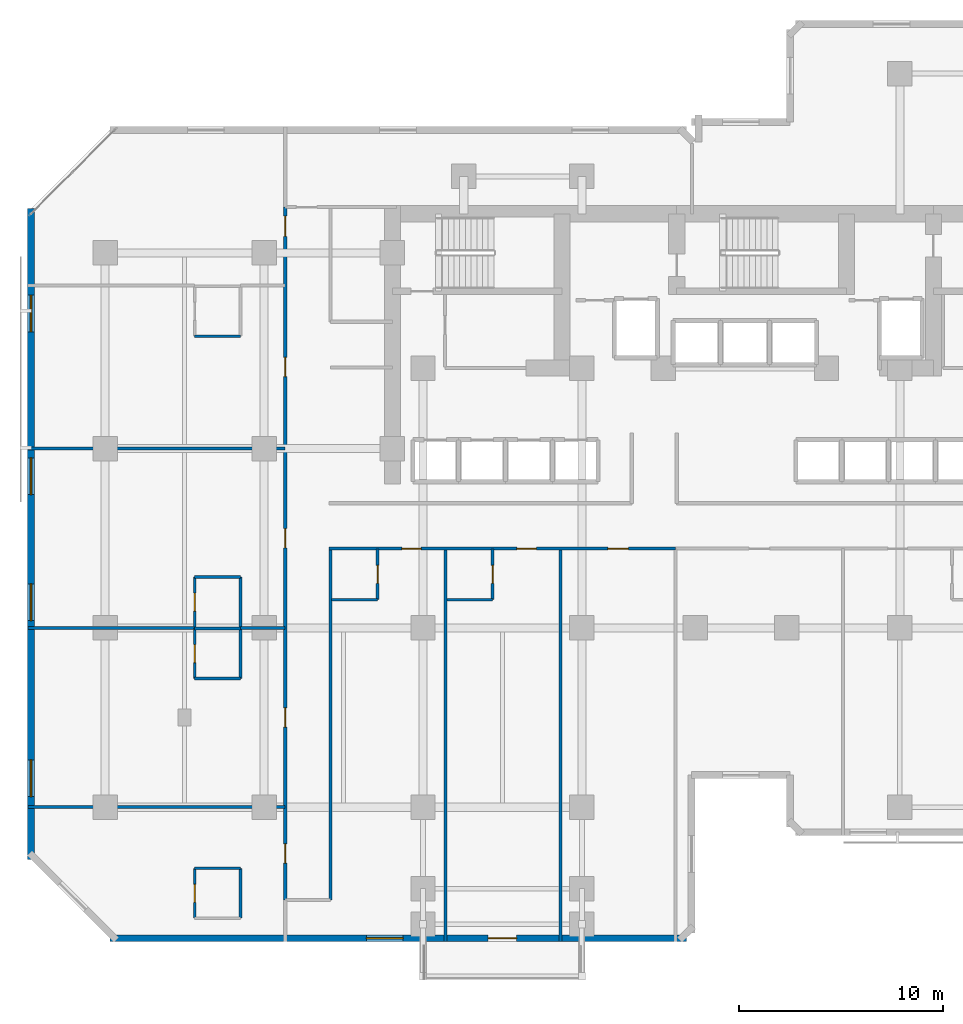
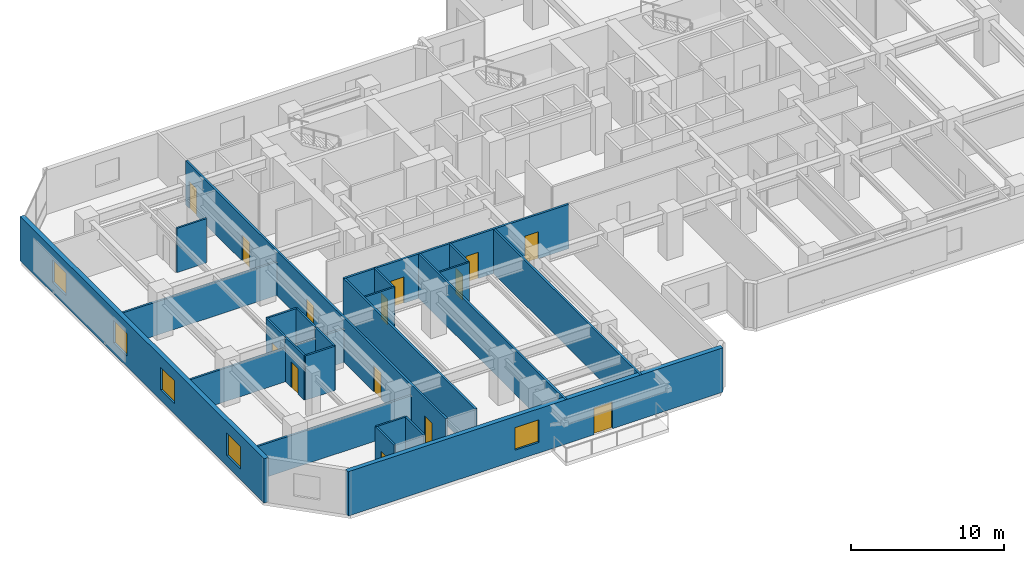
# One storey, part 6 of 12: 26 walls, 14 doors, 5 windows, 19 openings.
"""IFC4 building model written with IfcOpenShell, lengths in metres."""

from ifc_helpers import new_model, si_unit, direction, frame, frame_2d, origin, place, context, subcontext, project, spatial, rectangle, extrude, material, layer, layer_set, type_object, element, fill, save


model = new_model("IFC4")

# Units and contexts
model_context = context("Model", 3, precision=1e-05, world=origin(), true_north=direction((0.0, 1.0)))
body_context = subcontext(model_context, "Body", "Model", "MODEL_VIEW")
ifc_project = project(units=[si_unit("LENGTHUNIT", "METRE"), si_unit("AREAUNIT", "SQUARE_METRE"), si_unit("VOLUMEUNIT", "CUBIC_METRE"), si_unit("PLANEANGLEUNIT", "RADIAN"), si_unit("MASSUNIT", "GRAM", prefix="KILO")], contexts=[model_context])

# Site, building, storey
site_placement = place(None, origin())
site = spatial("IfcSite", under=ifc_project, at=site_placement, CompositionType="ELEMENT")
building_placement = place(site_placement, origin())
building = spatial("IfcBuilding", under=site, at=building_placement, Name="Kestravale Grand Hotel", CompositionType="ELEMENT")
storey_placement = place(building_placement, frame((0.0, 0.0, 95.60009765625)))
storey = spatial("IfcBuildingStorey", under=building, at=storey_placement, Name="L23", CompositionType="ELEMENT", Elevation=95.60009765625)

# Wall, openings, door, window
ifc_material_1 = material(Name="Precast concrete f'c 45 MPa", Category="concrete")
ifc_layer_1 = layer(ifc_material_1, 0.340087890625)
ifc_layer_set_1 = layer_set([ifc_layer_1], Name="EW-PREC-340")
wall_type_1 = type_object("IfcWallType", Name="EW-PREC-340", PredefinedType="SOLIDWALL", material=ifc_layer_set_1)
wall_1_placement = place(storey_placement, frame((8.030029296875, 4.77001953125, 0.0), z_axis=(0.0, 0.0, 1.0), x_axis=(1.0, 0.0, 0.0)))
wall_1 = element("IfcWall", 1, at=wall_1_placement, inside=storey, type_object=wall_type_1, Name="L23 fluted precast facade wall 1", PredefinedType="SOLIDWALL", context=body_context, shape_type="SweptSolid", body=[
    extrude(rectangle(XDim=28.2900390625, YDim=0.340087890625, at=frame_2d((14.14501953125, 0.0))), origin(), (0.0, 0.0, 1.0), 3.539794921875),
])
opening_1_placement = place(wall_1_placement, frame((18.570068359375, 0.0, 0.0)))
opening_1 = element("IfcOpeningElement", 2, at=opening_1_placement, cuts=wall_1, Name="Opening D-TERR-1400", PredefinedType="OPENING", context=body_context, shape_type="SweptSolid", body=[
    extrude(rectangle(XDim=1.39990234375, YDim=2.14990234375, at=frame_2d((0.699951171875, 1.074951171875))), frame((0.0, 0.179931640625, 0.0), z_axis=(0.0, -1.0, 0.0), x_axis=(1.0, 0.0, 0.0)), (0.0, 0.0, 1.0), 0.360107421875),
])
opening_2_placement = place(wall_1_placement, frame((12.594970703125, 0.0, 0.85009765625)))
opening_2 = element("IfcOpeningElement", 3, at=opening_2_placement, cuts=wall_1, Name="Opening W-GUEST-1800", PredefinedType="OPENING", context=body_context, shape_type="SweptSolid", body=[
    extrude(rectangle(XDim=1.800048828125, YDim=1.800048828125, at=frame_2d((0.89990234375, 0.89990234375))), frame((0.0, 0.179931640625, 0.0), z_axis=(0.0, -1.0, 0.0), x_axis=(1.0, 0.0, 0.0)), (0.0, 0.0, 1.0), 0.360107421875),
])
ifc_material_2 = material(Name="Insulated glazed champagne-bronze aluminium door", Category="aluminium")
door_type_1 = type_object("IfcDoorType", Name="D-TERR-1400", OperationType="NOTDEFINED", PredefinedType="DOOR", material=ifc_material_2)
door_1_placement = place(opening_1_placement, origin())
door_1 = element("IfcDoor", 4, at=door_1_placement, inside=storey, type_object=door_type_1, Name="L23 outdoor garden terrace door", OperationType="DOUBLE_DOOR_SINGLE_SWING", OverallHeight=2.14990234375, OverallWidth=1.39990234375, PredefinedType="DOOR", context=body_context, shape_type="SweptSolid", body=[
    extrude(rectangle(XDim=1.39990234375, YDim=2.14990234375, at=frame_2d((0.699951171875, 1.074951171875))), frame((0.0, 0.02490234375, 0.0), z_axis=(0.0, -1.0, 0.0), x_axis=(1.0, 0.0, 0.0)), (0.0, 0.0, 1.0), 0.050048828125),
])
fill(opening_1, door_1)
ifc_material_3 = material(Name="Insulated low-E double glazing in aluminium frame", Category="aluminium")
window_type = type_object("IfcWindowType", Name="W-GUEST-1800", PartitioningType="DOUBLE_PANEL_VERTICAL", PredefinedType="WINDOW", material=ifc_material_3)
window_1_placement = place(opening_2_placement, origin())
window_1 = element("IfcWindow", 5, at=window_1_placement, inside=storey, type_object=window_type, Name="L23 exterior window 1.1", OverallHeight=1.800048828125, OverallWidth=1.800048828125, PartitioningType="SINGLE_PANEL", PredefinedType="WINDOW", context=body_context, shape_type="SweptSolid", body=[
    extrude(rectangle(XDim=1.800048828125, YDim=1.800048828125, at=frame_2d((0.89990234375, 0.89990234375))), frame((0.0, 0.030029296875, 0.0), z_axis=(0.0, -1.0, 0.0), x_axis=(1.0, 0.0, 0.0)), (0.0, 0.0, 1.0), 0.06005859375),
])
fill(opening_2, window_1)

# Wall, openings, windows
wall_2_placement = place(storey_placement, frame((4.169921875, 40.570068359375, 0.0), z_axis=(0.0, 0.0, 1.0), x_axis=(0.0, -1.0, 0.0)))
wall_2 = element("IfcWall", 6, at=wall_2_placement, inside=storey, type_object=wall_type_1, Name="L23 fluted precast facade wall 19", PredefinedType="SOLIDWALL", context=body_context, shape_type="SweptSolid", body=[
    extrude(rectangle(XDim=31.940185546875, YDim=0.340087890625, at=frame_2d((15.97021484375, 0.0))), origin(), (0.0, 0.0, 1.0), 3.539794921875),
])
opening_3_placement = place(wall_2_placement, frame((4.242431640625, 0.0, 0.85009765625)))
opening_3 = element("IfcOpeningElement", 7, at=opening_3_placement, cuts=wall_2, Name="Opening W-GUEST-1800", PredefinedType="OPENING", context=body_context, shape_type="SweptSolid", body=[
    extrude(rectangle(XDim=1.800048828125, YDim=1.800048828125, at=frame_2d((0.89990234375, 0.89990234375))), frame((0.0, 0.179931640625, 0.0), z_axis=(0.0, -1.0, 0.0), x_axis=(1.0, 0.0, 0.0)), (0.0, 0.0, 1.0), 0.360107421875),
])
opening_4_placement = place(wall_2_placement, frame((12.2275390625, 0.0, 0.85009765625)))
opening_4 = element("IfcOpeningElement", 8, at=opening_4_placement, cuts=wall_2, Name="Opening W-GUEST-1800", PredefinedType="OPENING", context=body_context, shape_type="SweptSolid", body=[
    extrude(rectangle(XDim=1.800048828125, YDim=1.800048828125, at=frame_2d((0.89990234375, 0.89990234375))), frame((0.0, 0.179931640625, 0.0), z_axis=(0.0, -1.0, 0.0), x_axis=(1.0, 0.0, 0.0)), (0.0, 0.0, 1.0), 0.360107421875),
])
opening_5_placement = place(wall_2_placement, frame((18.41259765625, 0.0, 0.85009765625)))
opening_5 = element("IfcOpeningElement", 9, at=opening_5_placement, cuts=wall_2, Name="Opening W-GUEST-1800", PredefinedType="OPENING", context=body_context, shape_type="SweptSolid", body=[
    extrude(rectangle(XDim=1.800048828125, YDim=1.800048828125, at=frame_2d((0.89990234375, 0.89990234375))), frame((0.0, 0.179931640625, 0.0), z_axis=(0.0, -1.0, 0.0), x_axis=(1.0, 0.0, 0.0)), (0.0, 0.0, 1.0), 0.360107421875),
])
opening_6_placement = place(wall_2_placement, frame((27.047607421875, 0.0, 0.85009765625)))
opening_6 = element("IfcOpeningElement", 10, at=opening_6_placement, cuts=wall_2, Name="Opening W-GUEST-1800", PredefinedType="OPENING", context=body_context, shape_type="SweptSolid", body=[
    extrude(rectangle(XDim=1.800048828125, YDim=1.800048828125, at=frame_2d((0.89990234375, 0.89990234375))), frame((0.0, 0.179931640625, 0.0), z_axis=(0.0, -1.0, 0.0), x_axis=(1.0, 0.0, 0.0)), (0.0, 0.0, 1.0), 0.360107421875),
])
window_2_placement = place(opening_3_placement, origin())
window_2 = element("IfcWindow", 11, at=window_2_placement, inside=storey, type_object=window_type, Name="L23 exterior window 19.1", OverallHeight=1.800048828125, OverallWidth=1.800048828125, PartitioningType="SINGLE_PANEL", PredefinedType="WINDOW", context=body_context, shape_type="SweptSolid", body=[
    extrude(rectangle(XDim=1.800048828125, YDim=1.800048828125, at=frame_2d((0.89990234375, 0.89990234375))), frame((0.0, 0.030029296875, 0.0), z_axis=(0.0, -1.0, 0.0), x_axis=(1.0, 0.0, 0.0)), (0.0, 0.0, 1.0), 0.06005859375),
])
fill(opening_3, window_2)
window_3_placement = place(opening_4_placement, origin())
window_3 = element("IfcWindow", 12, at=window_3_placement, inside=storey, type_object=window_type, Name="L23 exterior window 19.2", OverallHeight=1.800048828125, OverallWidth=1.800048828125, PartitioningType="SINGLE_PANEL", PredefinedType="WINDOW", context=body_context, shape_type="SweptSolid", body=[
    extrude(rectangle(XDim=1.800048828125, YDim=1.800048828125, at=frame_2d((0.89990234375, 0.89990234375))), frame((0.0, 0.030029296875, 0.0), z_axis=(0.0, -1.0, 0.0), x_axis=(1.0, 0.0, 0.0)), (0.0, 0.0, 1.0), 0.06005859375),
])
fill(opening_4, window_3)
window_4_placement = place(opening_5_placement, origin())
window_4 = element("IfcWindow", 13, at=window_4_placement, inside=storey, type_object=window_type, Name="L23 exterior window 19.3", OverallHeight=1.800048828125, OverallWidth=1.800048828125, PartitioningType="SINGLE_PANEL", PredefinedType="WINDOW", context=body_context, shape_type="SweptSolid", body=[
    extrude(rectangle(XDim=1.800048828125, YDim=1.800048828125, at=frame_2d((0.89990234375, 0.89990234375))), frame((0.0, 0.030029296875, 0.0), z_axis=(0.0, -1.0, 0.0), x_axis=(1.0, 0.0, 0.0)), (0.0, 0.0, 1.0), 0.06005859375),
])
fill(opening_5, window_4)
window_5_placement = place(opening_6_placement, origin())
window_5 = element("IfcWindow", 14, at=window_5_placement, inside=storey, type_object=window_type, Name="L23 exterior window 19.4", OverallHeight=1.800048828125, OverallWidth=1.800048828125, PartitioningType="SINGLE_PANEL", PredefinedType="WINDOW", context=body_context, shape_type="SweptSolid", body=[
    extrude(rectangle(XDim=1.800048828125, YDim=1.800048828125, at=frame_2d((0.89990234375, 0.89990234375))), frame((0.0, 0.030029296875, 0.0), z_axis=(0.0, -1.0, 0.0), x_axis=(1.0, 0.0, 0.0)), (0.0, 0.0, 1.0), 0.06005859375),
])
fill(opening_6, window_5)

# Wall, openings, doors
ifc_material_4 = material(Name="Acoustic fire-rated gypsum board partition", Category="other")
ifc_layer_2 = layer(ifc_material_4, 0.159912109375)
ifc_layer_set_2 = layer_set([ifc_layer_2], Name="IW-CORR-160")
wall_type_2 = type_object("IfcWallType", Name="IW-CORR-160", PredefinedType="PARTITIONING", material=ifc_layer_set_2)
wall_3_placement = place(storey_placement, frame((18.800048828125, 23.889892578125, 0.0), z_axis=(0.0, 0.0, 1.0), x_axis=(1.0, 0.0, 0.0)))
wall_3 = element("IfcWall", 15, at=wall_3_placement, inside=storey, type_object=wall_type_2, Name="W-L23-CW-S", PredefinedType="PARTITIONING", context=body_context, shape_type="SweptSolid", body=[
    extrude(rectangle(XDim=17.0, YDim=0.159912109375, at=frame_2d((8.5, 0.0))), origin(), (0.0, 0.0, 1.0), 3.539794921875),
])
opening_7_placement = place(wall_3_placement, frame((3.563232421875, 0.0, 0.0)))
opening_7 = element("IfcOpeningElement", 16, at=opening_7_placement, cuts=wall_3, Name="Opening D-GUEST-950", PredefinedType="OPENING", context=body_context, shape_type="SweptSolid", body=[
    extrude(rectangle(XDim=0.949951171875, YDim=2.10009765625, at=frame_2d((0.47509765625, 1.050048828125))), frame((0.0, 0.08984375, 0.0), z_axis=(0.0, -1.0, 0.0), x_axis=(1.0, 0.0, 0.0)), (0.0, 0.0, 1.0), 0.179931640625),
])
opening_8_placement = place(wall_3_placement, frame((9.2099609375, 0.0, 0.0)))
opening_8 = element("IfcOpeningElement", 17, at=opening_8_placement, cuts=wall_3, Name="Opening D-GUEST-950", PredefinedType="OPENING", context=body_context, shape_type="SweptSolid", body=[
    extrude(rectangle(XDim=0.949951171875, YDim=2.10009765625, at=frame_2d((0.47509765625, 1.050048828125))), frame((0.0, 0.08984375, 0.0), z_axis=(0.0, -1.0, 0.0), x_axis=(1.0, 0.0, 0.0)), (0.0, 0.0, 1.0), 0.179931640625),
])
opening_9_placement = place(wall_3_placement, frame((13.6767578125, 0.0, 0.0)))
opening_9 = element("IfcOpeningElement", 18, at=opening_9_placement, cuts=wall_3, Name="Opening D-GUEST-1000", PredefinedType="OPENING", context=body_context, shape_type="SweptSolid", body=[
    extrude(rectangle(XDim=1.0, YDim=2.14990234375, at=frame_2d((0.5, 1.074951171875))), frame((0.0, 0.08984375, 0.0), z_axis=(0.0, -1.0, 0.0), x_axis=(1.0, 0.0, 0.0)), (0.0, 0.0, 1.0), 0.179931640625),
])
ifc_material_5 = material(Name="Accessible walnut veneer hotel entrance fire door", Category="wood")
door_type_2 = type_object("IfcDoorType", Name="D-GUEST-1000", OperationType="NOTDEFINED", PredefinedType="DOOR", material=ifc_material_5)
door_2_placement = place(opening_9_placement, origin())
door_2 = element("IfcDoor", 19, at=door_2_placement, inside=storey, type_object=door_type_2, Name="D-L23-AMW", OperationType="SINGLE_SWING_RIGHT", OverallHeight=2.14990234375, OverallWidth=1.0, PredefinedType="DOOR", context=body_context, shape_type="SweptSolid", body=[
    extrude(rectangle(XDim=1.0, YDim=2.14990234375, at=frame_2d((0.5, 1.074951171875))), frame((0.0, 0.02490234375, 0.0), z_axis=(0.0, -1.0, 0.0), x_axis=(1.0, 0.0, 0.0)), (0.0, 0.0, 1.0), 0.050048828125),
])
fill(opening_9, door_2)
ifc_material_6 = material(Name="Walnut veneer hotel guestroom entrance fire door", Category="wood")
door_type_3 = type_object("IfcDoorType", Name="D-GUEST-950", OperationType="NOTDEFINED", PredefinedType="DOOR", material=ifc_material_6)
door_3_placement = place(opening_7_placement, origin())
door_3 = element("IfcDoor", 20, at=door_3_placement, inside=storey, type_object=door_type_3, Name="D-L23-U01-ENT", OperationType="SINGLE_SWING_LEFT", OverallHeight=2.10009765625, OverallWidth=0.949951171875, PredefinedType="DOOR", context=body_context, shape_type="SweptSolid", body=[
    extrude(rectangle(XDim=0.949951171875, YDim=2.10009765625, at=frame_2d((0.47509765625, 1.050048828125))), frame((0.0, 0.02490234375, 0.0), z_axis=(0.0, -1.0, 0.0), x_axis=(1.0, 0.0, 0.0)), (0.0, 0.0, 1.0), 0.050048828125),
])
fill(opening_7, door_3)
door_4_placement = place(opening_8_placement, origin())
door_4 = element("IfcDoor", 21, at=door_4_placement, inside=storey, type_object=door_type_3, Name="D-L23-U02-ENT", OperationType="SINGLE_SWING_LEFT", OverallHeight=2.10009765625, OverallWidth=0.949951171875, PredefinedType="DOOR", context=body_context, shape_type="SweptSolid", body=[
    extrude(rectangle(XDim=0.949951171875, YDim=2.10009765625, at=frame_2d((0.47509765625, 1.050048828125))), frame((0.0, 0.02490234375, 0.0), z_axis=(0.0, -1.0, 0.0), x_axis=(1.0, 0.0, 0.0)), (0.0, 0.0, 1.0), 0.050048828125),
])
fill(opening_8, door_4)

wall_4_placement = place(storey_placement, frame((16.639892578125, 6.64990234375, 0.0), z_axis=(0.0, 0.0, 1.0), x_axis=(0.0, 1.0, 0.0)))
wall_4 = element("IfcWall", 22, at=wall_4_placement, inside=storey, type_object=wall_type_2, Name="W-L23-SW-W", PredefinedType="PARTITIONING", context=body_context, shape_type="SweptSolid", body=[
    extrude(rectangle(XDim=34.0, YDim=0.159912109375, at=frame_2d((17.0, 0.0))), origin(), (0.0, 0.0, 1.0), 3.539794921875),
])
opening_10_placement = place(wall_4_placement, frame((1.800048828125, 0.0, 0.0)))
opening_10 = element("IfcOpeningElement", 23, at=opening_10_placement, cuts=wall_4, Name="Opening D-GUEST-950", PredefinedType="OPENING", context=body_context, shape_type="SweptSolid", body=[
    extrude(rectangle(XDim=0.949951171875, YDim=2.10009765625, at=frame_2d((0.47509765625, 1.050048828125))), frame((0.0, 0.08984375, 0.0), z_axis=(0.0, -1.0, 0.0), x_axis=(1.0, 0.0, 0.0)), (0.0, 0.0, 1.0), 0.179931640625),
])
opening_11_placement = place(wall_4_placement, frame((8.47509765625, 0.0, 0.0)))
opening_11 = element("IfcOpeningElement", 24, at=opening_11_placement, cuts=wall_4, Name="Opening D-GUEST-950", PredefinedType="OPENING", context=body_context, shape_type="SweptSolid", body=[
    extrude(rectangle(XDim=0.949951171875, YDim=2.10009765625, at=frame_2d((0.47509765625, 1.050048828125))), frame((0.0, 0.08984375, 0.0), z_axis=(0.0, -1.0, 0.0), x_axis=(1.0, 0.0, 0.0)), (0.0, 0.0, 1.0), 0.179931640625),
])
opening_12_placement = place(wall_4_placement, frame((17.27490234375, 0.0, 0.0)))
opening_12 = element("IfcOpeningElement", 25, at=opening_12_placement, cuts=wall_4, Name="Opening D-GUEST-950", PredefinedType="OPENING", context=body_context, shape_type="SweptSolid", body=[
    extrude(rectangle(XDim=0.949951171875, YDim=2.10009765625, at=frame_2d((0.47509765625, 1.050048828125))), frame((0.0, 0.08984375, 0.0), z_axis=(0.0, -1.0, 0.0), x_axis=(1.0, 0.0, 0.0)), (0.0, 0.0, 1.0), 0.179931640625),
])
opening_13_placement = place(wall_4_placement, frame((25.675048828125, 0.0, 0.0)))
opening_13 = element("IfcOpeningElement", 26, at=opening_13_placement, cuts=wall_4, Name="Opening D-GUEST-950", PredefinedType="OPENING", context=body_context, shape_type="SweptSolid", body=[
    extrude(rectangle(XDim=0.949951171875, YDim=2.10009765625, at=frame_2d((0.47509765625, 1.050048828125))), frame((0.0, 0.08984375, 0.0), z_axis=(0.0, -1.0, 0.0), x_axis=(1.0, 0.0, 0.0)), (0.0, 0.0, 1.0), 0.179931640625),
])
opening_14_placement = place(wall_4_placement, frame((32.56005859375, 0.0, 0.0)))
opening_14 = element("IfcOpeningElement", 27, at=opening_14_placement, cuts=wall_4, Name="Opening D-GUEST-1000", PredefinedType="OPENING", context=body_context, shape_type="SweptSolid", body=[
    extrude(rectangle(XDim=1.0, YDim=2.14990234375, at=frame_2d((0.5, 1.074951171875))), frame((0.0, 0.08984375, 0.0), z_axis=(0.0, -1.0, 0.0), x_axis=(1.0, 0.0, 0.0)), (0.0, 0.0, 1.0), 0.179931640625),
])
door_5_placement = place(opening_14_placement, origin())
door_5 = element("IfcDoor", 28, at=door_5_placement, inside=storey, type_object=door_type_2, Name="D-L23-AMWW", OperationType="SINGLE_SWING_RIGHT", OverallHeight=2.14990234375, OverallWidth=1.0, PredefinedType="DOOR", context=body_context, shape_type="SweptSolid", body=[
    extrude(rectangle(XDim=1.0, YDim=2.14990234375, at=frame_2d((0.5, 1.074951171875))), frame((0.0, 0.02490234375, 0.0), z_axis=(0.0, -1.0, 0.0), x_axis=(1.0, 0.0, 0.0)), (0.0, 0.0, 1.0), 0.050048828125),
])
fill(opening_14, door_5)
door_6_placement = place(opening_10_placement, origin())
door_6 = element("IfcDoor", 29, at=door_6_placement, inside=storey, type_object=door_type_3, Name="D-L23-U05-ENT", OperationType="SINGLE_SWING_LEFT", OverallHeight=2.10009765625, OverallWidth=0.949951171875, PredefinedType="DOOR", context=body_context, shape_type="SweptSolid", body=[
    extrude(rectangle(XDim=0.949951171875, YDim=2.10009765625, at=frame_2d((0.47509765625, 1.050048828125))), frame((0.0, 0.02490234375, 0.0), z_axis=(0.0, -1.0, 0.0), x_axis=(1.0, 0.0, 0.0)), (0.0, 0.0, 1.0), 0.050048828125),
])
fill(opening_10, door_6)
door_7_placement = place(opening_11_placement, origin())
door_7 = element("IfcDoor", 30, at=door_7_placement, inside=storey, type_object=door_type_3, Name="D-L23-U06-ENT", OperationType="SINGLE_SWING_LEFT", OverallHeight=2.10009765625, OverallWidth=0.949951171875, PredefinedType="DOOR", context=body_context, shape_type="SweptSolid", body=[
    extrude(rectangle(XDim=0.949951171875, YDim=2.10009765625, at=frame_2d((0.47509765625, 1.050048828125))), frame((0.0, 0.02490234375, 0.0), z_axis=(0.0, -1.0, 0.0), x_axis=(1.0, 0.0, 0.0)), (0.0, 0.0, 1.0), 0.050048828125),
])
fill(opening_11, door_7)
door_8_placement = place(opening_12_placement, origin())
door_8 = element("IfcDoor", 31, at=door_8_placement, inside=storey, type_object=door_type_3, Name="D-L23-U07-ENT", OperationType="SINGLE_SWING_LEFT", OverallHeight=2.10009765625, OverallWidth=0.949951171875, PredefinedType="DOOR", context=body_context, shape_type="SweptSolid", body=[
    extrude(rectangle(XDim=0.949951171875, YDim=2.10009765625, at=frame_2d((0.47509765625, 1.050048828125))), frame((0.0, 0.02490234375, 0.0), z_axis=(0.0, -1.0, 0.0), x_axis=(1.0, 0.0, 0.0)), (0.0, 0.0, 1.0), 0.050048828125),
])
fill(opening_12, door_8)
door_9_placement = place(opening_13_placement, origin())
door_9 = element("IfcDoor", 32, at=door_9_placement, inside=storey, type_object=door_type_3, Name="D-L23-U08-ENT", OperationType="SINGLE_SWING_LEFT", OverallHeight=2.10009765625, OverallWidth=0.949951171875, PredefinedType="DOOR", context=body_context, shape_type="SweptSolid", body=[
    extrude(rectangle(XDim=0.949951171875, YDim=2.10009765625, at=frame_2d((0.47509765625, 1.050048828125))), frame((0.0, 0.02490234375, 0.0), z_axis=(0.0, -1.0, 0.0), x_axis=(1.0, 0.0, 0.0)), (0.0, 0.0, 1.0), 0.050048828125),
])
fill(opening_13, door_9)

# Wall
wall_5_placement = place(storey_placement, frame((18.860107421875, 6.64990234375, 0.0), z_axis=(0.0, 0.0, 1.0), x_axis=(0.0, 1.0, 0.0)))
element("IfcWall", 33, at=wall_5_placement, inside=storey, type_object=wall_type_2, Name="W-L23-SW-E", PredefinedType="PARTITIONING", context=body_context, shape_type="SweptSolid", body=[
    extrude(rectangle(XDim=17.239990234375, YDim=0.159912109375, at=frame_2d((8.6201171875, 0.0))), origin(), (0.0, 0.0, 1.0), 3.539794921875),
])

# Wall, opening, door
ifc_material_7 = material(Name="Moisture-resistant tile-backer plumbing chase wall", Category="other")
ifc_layer_3 = layer(ifc_material_7, 0.139892578125)
ifc_layer_set_3 = layer_set([ifc_layer_3], Name="IW-PLB-140")
wall_type_3 = type_object("IfcWallType", Name="IW-PLB-140", PredefinedType="PLUMBINGWALL", material=ifc_layer_set_3)
wall_6_placement = place(storey_placement, frame((21.169921875, 21.3798828125, 0.0), z_axis=(0.0, 0.0, 1.0), x_axis=(0.0, 1.0, 0.0)))
wall_6 = element("IfcWall", 34, at=wall_6_placement, inside=storey, type_object=wall_type_3, Name="W-L23-U01-BE", PredefinedType="PLUMBINGWALL", context=body_context, shape_type="SweptSolid", body=[
    extrude(rectangle(XDim=2.490234375, YDim=0.139892578125, at=frame_2d((1.2451171875, 0.0))), origin(), (0.0, 0.0, 1.0), 3.539794921875),
])
opening_15_placement = place(wall_6_placement, frame((0.804931640625, 0.0, 0.0)))
opening_15 = element("IfcOpeningElement", 35, at=opening_15_placement, cuts=wall_6, Name="Opening D-BATH-880", PredefinedType="OPENING", context=body_context, shape_type="SweptSolid", body=[
    extrude(rectangle(XDim=0.8798828125, YDim=2.050048828125, at=frame_2d((0.43994140625, 1.02490234375))), frame((0.0, 0.079833984375, 0.0), z_axis=(0.0, -1.0, 0.0), x_axis=(1.0, 0.0, 0.0)), (0.0, 0.0, 1.0), 0.159912109375),
])
ifc_material_8 = material(Name="Moisture-sealed walnut en-suite bathroom door", Category="wood")
door_type_4 = type_object("IfcDoorType", Name="D-BATH-880", OperationType="NOTDEFINED", PredefinedType="DOOR", material=ifc_material_8)
door_10_placement = place(opening_15_placement, origin())
door_10 = element("IfcDoor", 36, at=door_10_placement, inside=storey, type_object=door_type_4, Name="D-L23-U01-BATH", OperationType="SINGLE_SWING_RIGHT", OverallHeight=2.050048828125, OverallWidth=0.8798828125, PredefinedType="DOOR", context=body_context, shape_type="SweptSolid", body=[
    extrude(rectangle(XDim=0.8798828125, YDim=2.050048828125, at=frame_2d((0.43994140625, 1.02490234375))), frame((0.0, 0.02490234375, 0.0), z_axis=(0.0, -1.0, 0.0), x_axis=(1.0, 0.0, 0.0)), (0.0, 0.0, 1.0), 0.050048828125),
])
fill(opening_15, door_10)

# Wall
wall_7_placement = place(storey_placement, frame((18.919921875, 21.3798828125, 0.0), z_axis=(0.0, 0.0, 1.0), x_axis=(1.0, 0.0, 0.0)))
element("IfcWall", 37, at=wall_7_placement, inside=storey, type_object=wall_type_3, Name="W-L23-U01-BS", PredefinedType="PLUMBINGWALL", context=body_context, shape_type="SweptSolid", body=[
    extrude(rectangle(XDim=2.25, YDim=0.139892578125, at=frame_2d((1.125, 0.0))), origin(), (0.0, 0.0, 1.0), 3.539794921875),
])

# Wall, opening, door
wall_8_placement = place(storey_placement, frame((26.816650390625, 21.3798828125, 0.0), z_axis=(0.0, 0.0, 1.0), x_axis=(0.0, 1.0, 0.0)))
wall_8 = element("IfcWall", 38, at=wall_8_placement, inside=storey, type_object=wall_type_3, Name="W-L23-U02-BE", PredefinedType="PLUMBINGWALL", context=body_context, shape_type="SweptSolid", body=[
    extrude(rectangle(XDim=2.490234375, YDim=0.139892578125, at=frame_2d((1.2451171875, 0.0))), origin(), (0.0, 0.0, 1.0), 3.539794921875),
])
opening_16_placement = place(wall_8_placement, frame((0.804931640625, 0.0, 0.0)))
opening_16 = element("IfcOpeningElement", 39, at=opening_16_placement, cuts=wall_8, Name="Opening D-BATH-880", PredefinedType="OPENING", context=body_context, shape_type="SweptSolid", body=[
    extrude(rectangle(XDim=0.8798828125, YDim=2.050048828125, at=frame_2d((0.43994140625, 1.02490234375))), frame((0.0, 0.079833984375, 0.0), z_axis=(0.0, -1.0, 0.0), x_axis=(1.0, 0.0, 0.0)), (0.0, 0.0, 1.0), 0.159912109375),
])
door_11_placement = place(opening_16_placement, origin())
door_11 = element("IfcDoor", 40, at=door_11_placement, inside=storey, type_object=door_type_4, Name="D-L23-U02-BATH", OperationType="SINGLE_SWING_RIGHT", OverallHeight=2.050048828125, OverallWidth=0.8798828125, PredefinedType="DOOR", context=body_context, shape_type="SweptSolid", body=[
    extrude(rectangle(XDim=0.8798828125, YDim=2.050048828125, at=frame_2d((0.43994140625, 1.02490234375))), frame((0.0, 0.02490234375, 0.0), z_axis=(0.0, -1.0, 0.0), x_axis=(1.0, 0.0, 0.0)), (0.0, 0.0, 1.0), 0.050048828125),
])
fill(opening_16, door_11)

# Wall
wall_9_placement = place(storey_placement, frame((24.566650390625, 21.3798828125, 0.0), z_axis=(0.0, 0.0, 1.0), x_axis=(1.0, 0.0, 0.0)))
element("IfcWall", 41, at=wall_9_placement, inside=storey, type_object=wall_type_3, Name="W-L23-U02-BS", PredefinedType="PLUMBINGWALL", context=body_context, shape_type="SweptSolid", body=[
    extrude(rectangle(XDim=2.25, YDim=0.139892578125, at=frame_2d((1.125, 0.0))), origin(), (0.0, 0.0, 1.0), 3.539794921875),
])

# Wall, opening, door
wall_10_placement = place(storey_placement, frame((12.199951171875, 5.75, 0.0), z_axis=(0.0, 0.0, 1.0), x_axis=(0.0, 1.0, 0.0)))
wall_10 = element("IfcWall", 42, at=wall_10_placement, inside=storey, type_object=wall_type_3, Name="W-L23-U05-BW", PredefinedType="PLUMBINGWALL", context=body_context, shape_type="SweptSolid", body=[
    extrude(rectangle(XDim=2.449951171875, YDim=0.139892578125, at=frame_2d((1.22509765625, 0.0))), origin(), (0.0, 0.0, 1.0), 3.539794921875),
])
opening_17_placement = place(wall_10_placement, frame((0.784912109375, 0.0, 0.0)))
opening_17 = element("IfcOpeningElement", 43, at=opening_17_placement, cuts=wall_10, Name="Opening D-BATH-880", PredefinedType="OPENING", context=body_context, shape_type="SweptSolid", body=[
    extrude(rectangle(XDim=0.8798828125, YDim=2.050048828125, at=frame_2d((0.43994140625, 1.02490234375))), frame((0.0, 0.079833984375, 0.0), z_axis=(0.0, -1.0, 0.0), x_axis=(1.0, 0.0, 0.0)), (0.0, 0.0, 1.0), 0.159912109375),
])
door_12_placement = place(opening_17_placement, origin())
door_12 = element("IfcDoor", 44, at=door_12_placement, inside=storey, type_object=door_type_4, Name="D-L23-U05-BATH", OperationType="SINGLE_SWING_RIGHT", OverallHeight=2.050048828125, OverallWidth=0.8798828125, PredefinedType="DOOR", context=body_context, shape_type="SweptSolid", body=[
    extrude(rectangle(XDim=0.8798828125, YDim=2.050048828125, at=frame_2d((0.43994140625, 1.02490234375))), frame((0.0, 0.02490234375, 0.0), z_axis=(0.0, -1.0, 0.0), x_axis=(1.0, 0.0, 0.0)), (0.0, 0.0, 1.0), 0.050048828125),
])
fill(opening_17, door_12)

# Walls
wall_11_placement = place(storey_placement, frame((14.449951171875, 5.75, 0.0), z_axis=(0.0, 0.0, 1.0), x_axis=(0.0, 1.0, 0.0)))
element("IfcWall", 45, at=wall_11_placement, inside=storey, type_object=wall_type_3, Name="W-L23-U05-BE", PredefinedType="PLUMBINGWALL", context=body_context, shape_type="SweptSolid", body=[
    extrude(rectangle(XDim=2.449951171875, YDim=0.139892578125, at=frame_2d((1.22509765625, 0.0))), origin(), (0.0, 0.0, 1.0), 3.539794921875),
])
wall_12_placement = place(storey_placement, frame((12.199951171875, 8.199951171875, 0.0), z_axis=(0.0, 0.0, 1.0), x_axis=(1.0, 0.0, 0.0)))
element("IfcWall", 46, at=wall_12_placement, inside=storey, type_object=wall_type_3, Name="W-L23-U05-BN", PredefinedType="PLUMBINGWALL", context=body_context, shape_type="SweptSolid", body=[
    extrude(rectangle(XDim=2.25, YDim=0.139892578125, at=frame_2d((1.125, 0.0))), origin(), (0.0, 0.0, 1.0), 3.539794921875),
])

# Wall, opening, door
wall_13_placement = place(storey_placement, frame((12.199951171875, 17.510009765625, 0.0), z_axis=(0.0, 0.0, 1.0), x_axis=(0.0, 1.0, 0.0)))
wall_13 = element("IfcWall", 47, at=wall_13_placement, inside=storey, type_object=wall_type_3, Name="W-L23-U06-BW", PredefinedType="PLUMBINGWALL", context=body_context, shape_type="SweptSolid", body=[
    extrude(rectangle(XDim=2.449951171875, YDim=0.139892578125, at=frame_2d((1.22509765625, 0.0))), origin(), (0.0, 0.0, 1.0), 3.539794921875),
])
opening_18_placement = place(wall_13_placement, frame((0.784912109375, 0.0, 0.0)))
opening_18 = element("IfcOpeningElement", 48, at=opening_18_placement, cuts=wall_13, Name="Opening D-BATH-880", PredefinedType="OPENING", context=body_context, shape_type="SweptSolid", body=[
    extrude(rectangle(XDim=0.8798828125, YDim=2.050048828125, at=frame_2d((0.43994140625, 1.02490234375))), frame((0.0, 0.079833984375, 0.0), z_axis=(0.0, -1.0, 0.0), x_axis=(1.0, 0.0, 0.0)), (0.0, 0.0, 1.0), 0.159912109375),
])
door_13_placement = place(opening_18_placement, origin())
door_13 = element("IfcDoor", 49, at=door_13_placement, inside=storey, type_object=door_type_4, Name="D-L23-U06-BATH", OperationType="SINGLE_SWING_RIGHT", OverallHeight=2.050048828125, OverallWidth=0.8798828125, PredefinedType="DOOR", context=body_context, shape_type="SweptSolid", body=[
    extrude(rectangle(XDim=0.8798828125, YDim=2.050048828125, at=frame_2d((0.43994140625, 1.02490234375))), frame((0.0, 0.02490234375, 0.0), z_axis=(0.0, -1.0, 0.0), x_axis=(1.0, 0.0, 0.0)), (0.0, 0.0, 1.0), 0.050048828125),
])
fill(opening_18, door_13)

# Walls
wall_14_placement = place(storey_placement, frame((14.449951171875, 17.510009765625, 0.0), z_axis=(0.0, 0.0, 1.0), x_axis=(0.0, 1.0, 0.0)))
element("IfcWall", 50, at=wall_14_placement, inside=storey, type_object=wall_type_3, Name="W-L23-U06-BE", PredefinedType="PLUMBINGWALL", context=body_context, shape_type="SweptSolid", body=[
    extrude(rectangle(XDim=2.449951171875, YDim=0.139892578125, at=frame_2d((1.22509765625, 0.0))), origin(), (0.0, 0.0, 1.0), 3.539794921875),
])
wall_15_placement = place(storey_placement, frame((12.199951171875, 17.510009765625, 0.0), z_axis=(0.0, 0.0, 1.0), x_axis=(1.0, 0.0, 0.0)))
element("IfcWall", 51, at=wall_15_placement, inside=storey, type_object=wall_type_3, Name="W-L23-U06-BS", PredefinedType="PLUMBINGWALL", context=body_context, shape_type="SweptSolid", body=[
    extrude(rectangle(XDim=2.25, YDim=0.139892578125, at=frame_2d((1.125, 0.0))), origin(), (0.0, 0.0, 1.0), 3.539794921875),
])
wall_16_placement = place(storey_placement, frame((12.199951171875, 19.9599609375, 0.0), z_axis=(0.0, 0.0, 1.0), x_axis=(1.0, 0.0, 0.0)))
element("IfcWall", 52, at=wall_16_placement, inside=storey, type_object=wall_type_3, Name="W-L23-U06-BN", PredefinedType="PLUMBINGWALL", context=body_context, shape_type="SweptSolid", body=[
    extrude(rectangle(XDim=2.25, YDim=0.139892578125, at=frame_2d((1.125, 0.0))), origin(), (0.0, 0.0, 1.0), 2.678955078125),
])

# Wall, opening, door
wall_17_placement = place(storey_placement, frame((12.199951171875, 20.0400390625, 0.0), z_axis=(0.0, 0.0, 1.0), x_axis=(0.0, 1.0, 0.0)))
wall_17 = element("IfcWall", 53, at=wall_17_placement, inside=storey, type_object=wall_type_3, Name="W-L23-U07-BW", PredefinedType="PLUMBINGWALL", context=body_context, shape_type="SweptSolid", body=[
    extrude(rectangle(XDim=2.449951171875, YDim=0.139892578125, at=frame_2d((1.22509765625, 0.0))), origin(), (0.0, 0.0, 1.0), 3.539794921875),
])
opening_19_placement = place(wall_17_placement, frame((0.784912109375, 0.0, 0.0)))
opening_19 = element("IfcOpeningElement", 54, at=opening_19_placement, cuts=wall_17, Name="Opening D-BATH-880", PredefinedType="OPENING", context=body_context, shape_type="SweptSolid", body=[
    extrude(rectangle(XDim=0.8798828125, YDim=2.050048828125, at=frame_2d((0.43994140625, 1.02490234375))), frame((0.0, 0.079833984375, 0.0), z_axis=(0.0, -1.0, 0.0), x_axis=(1.0, 0.0, 0.0)), (0.0, 0.0, 1.0), 0.159912109375),
])
door_14_placement = place(opening_19_placement, origin())
door_14 = element("IfcDoor", 55, at=door_14_placement, inside=storey, type_object=door_type_4, Name="D-L23-U07-BATH", OperationType="SINGLE_SWING_RIGHT", OverallHeight=2.050048828125, OverallWidth=0.8798828125, PredefinedType="DOOR", context=body_context, shape_type="SweptSolid", body=[
    extrude(rectangle(XDim=0.8798828125, YDim=2.050048828125, at=frame_2d((0.43994140625, 1.02490234375))), frame((0.0, 0.02490234375, 0.0), z_axis=(0.0, -1.0, 0.0), x_axis=(1.0, 0.0, 0.0)), (0.0, 0.0, 1.0), 0.050048828125),
])
fill(opening_19, door_14)

# Walls
wall_18_placement = place(storey_placement, frame((14.449951171875, 20.0400390625, 0.0), z_axis=(0.0, 0.0, 1.0), x_axis=(0.0, 1.0, 0.0)))
element("IfcWall", 56, at=wall_18_placement, inside=storey, type_object=wall_type_3, Name="W-L23-U07-BE", PredefinedType="PLUMBINGWALL", context=body_context, shape_type="SweptSolid", body=[
    extrude(rectangle(XDim=2.449951171875, YDim=0.139892578125, at=frame_2d((1.22509765625, 0.0))), origin(), (0.0, 0.0, 1.0), 3.539794921875),
])
for number, where, z_axis, x_axis, name in (
    (57, (12.199951171875, 22.489990234375, 0.0), (0.0, 0.0, 1.0), (1.0, 0.0, 0.0), "W-L23-U07-BN"),
    (58, (12.199951171875, 34.31005859375, 0.0), (0.0, 0.0, 1.0), (1.0, 0.0, 0.0), "W-L23-U08-BS"),
):
    element("IfcWall", number, at=place(storey_placement, frame(where, z_axis=z_axis, x_axis=x_axis)), inside=storey, type_object=wall_type_3, Name=name, PredefinedType="PLUMBINGWALL", context=body_context, shape_type="SweptSolid", body=[
        extrude(rectangle(XDim=2.25, YDim=0.139892578125, at=frame_2d((1.125, 0.0))), origin(), (0.0, 0.0, 1.0), 3.539794921875),
    ])
ifc_material_9 = material(Name="Double-stud STC 52 acoustic demising partition", Category="other")
ifc_layer_4 = layer(ifc_material_9, 0.14990234375)
ifc_layer_set_4 = layer_set([ifc_layer_4], Name="IW-UNIT-150")
wall_type_4 = type_object("IfcWallType", Name="IW-UNIT-150", PredefinedType="PARTITIONING", material=ifc_layer_set_4)
for number, where, z_axis, x_axis, name in (
    (59, (24.506591796875, 4.6201171875, 0.0), (0.0, 0.0, 1.0), (0.0, 1.0, 0.0), "W-L23-WS-1"),
    (60, (30.1533203125, 4.6201171875, 0.0), (0.0, 0.0, 1.0), (0.0, 1.0, 0.0), "W-L23-WS-2"),
):
    element("IfcWall", number, at=place(storey_placement, frame(where, z_axis=z_axis, x_axis=x_axis)), inside=storey, type_object=wall_type_4, Name=name, PredefinedType="PARTITIONING", context=body_context, shape_type="SweptSolid", body=[
        extrude(rectangle(XDim=19.269775390625, YDim=0.14990234375, at=frame_2d((9.634765625, 0.0))), origin(), (0.0, 0.0, 1.0), 3.539794921875),
    ])
wall_19_placement = place(storey_placement, frame((4.02001953125, 11.199951171875, 0.0), z_axis=(0.0, 0.0, 1.0), x_axis=(1.0, 0.0, 0.0)))
element("IfcWall", 61, at=wall_19_placement, inside=storey, type_object=wall_type_4, Name="W-L23-WW-1", PredefinedType="PARTITIONING", context=body_context, shape_type="SweptSolid", body=[
    extrude(rectangle(XDim=12.619873046875, YDim=0.14990234375, at=frame_2d((6.31005859375, 0.0))), origin(), (0.0, 0.0, 1.0), 2.678955078125),
])
wall_20_placement = place(storey_placement, frame((4.02001953125, 20.0, 0.0), z_axis=(0.0, 0.0, 1.0), x_axis=(1.0, 0.0, 0.0)))
element("IfcWall", 62, at=wall_20_placement, inside=storey, type_object=wall_type_4, Name="W-L23-WW-2", PredefinedType="PARTITIONING", context=body_context, shape_type="SweptSolid", body=[
    extrude(rectangle(XDim=8.179931640625, YDim=0.14990234375, at=frame_2d((4.08984375, 0.0))), origin(), (0.0, 0.0, 1.0), 2.678955078125),
])
wall_21_placement = place(storey_placement, frame((14.449951171875, 20.0, 0.0), z_axis=(0.0, 0.0, 1.0), x_axis=(1.0, 0.0, 0.0)))
element("IfcWall", 63, at=wall_21_placement, inside=storey, type_object=wall_type_4, Name="W-L23-WW-2", PredefinedType="PARTITIONING", context=body_context, shape_type="SweptSolid", body=[
    extrude(rectangle(XDim=2.18994140625, YDim=0.14990234375, at=frame_2d((1.094970703125, 0.0))), origin(), (0.0, 0.0, 1.0), 2.678955078125),
])
wall_22_placement = place(storey_placement, frame((4.02001953125, 28.800048828125, 0.0), z_axis=(0.0, 0.0, 1.0), x_axis=(1.0, 0.0, 0.0)))
element("IfcWall", 64, at=wall_22_placement, inside=storey, type_object=wall_type_4, Name="W-L23-WW-3", PredefinedType="PARTITIONING", context=body_context, shape_type="SweptSolid", body=[
    extrude(rectangle(XDim=12.619873046875, YDim=0.14990234375, at=frame_2d((6.31005859375, 0.0))), origin(), (0.0, 0.0, 1.0), 2.678955078125),
])

save(model, "model.ifc")
